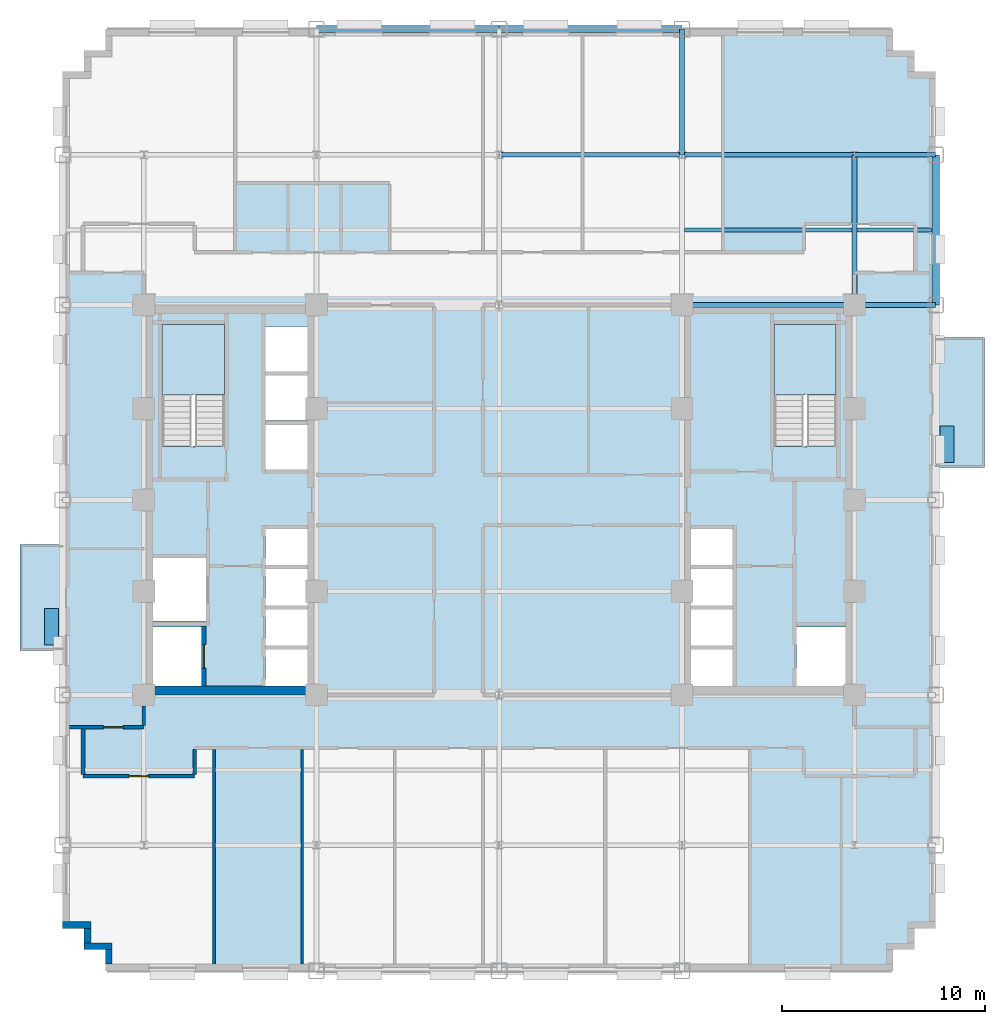
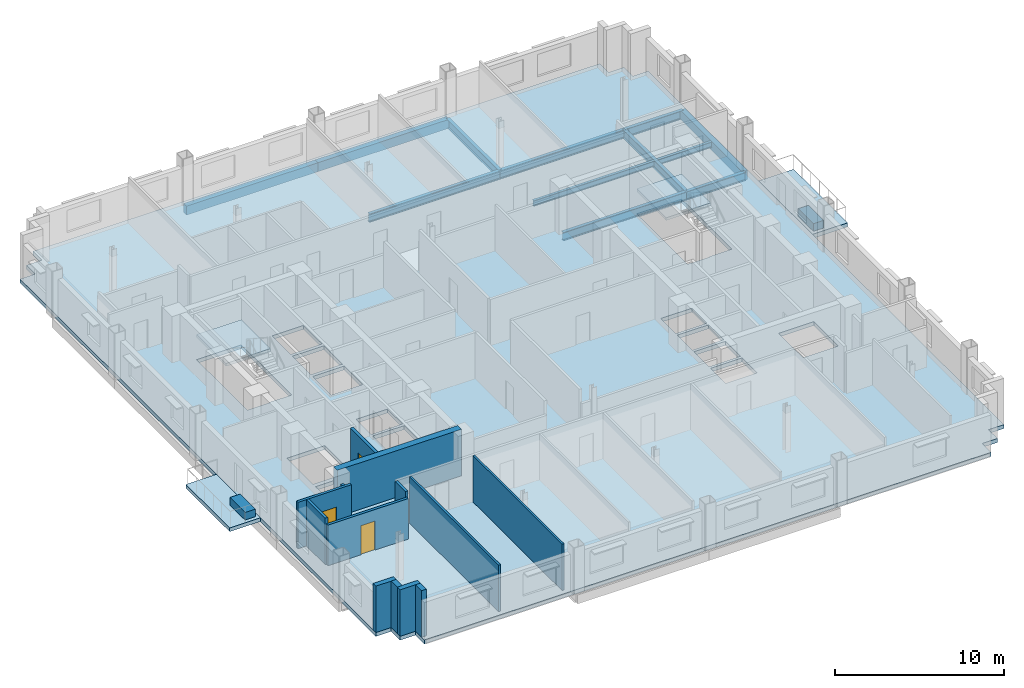
# One storey, part 5 of 14: 13 walls, 12 beams, 5 slabs, 3 doors, 2 plates, 3 openings, 2 elements without a shape of their own.
"""IFC4 building model written with IfcOpenShell, lengths in metres."""

from ifc_helpers import new_model, si_unit, direction, frame, frame_2d, origin, origin_2d, place, context, subcontext, project, spatial, polyline, rectangle, i_section, outline, extrude, source, transform, mapped, material, layer, layer_set, material_profile, profile_set, type_object, type_shapes, element, fill, aggregate, save


model = new_model("IFC4")

# Units and contexts
model_context = context("Model", 3, precision=1e-05, world=origin(), true_north=direction((0.0, 1.0)))
body_context = subcontext(model_context, "Body", "Model", "MODEL_VIEW")
ifc_project = project(units=[si_unit("LENGTHUNIT", "METRE"), si_unit("AREAUNIT", "SQUARE_METRE"), si_unit("VOLUMEUNIT", "CUBIC_METRE"), si_unit("PLANEANGLEUNIT", "RADIAN"), si_unit("MASSUNIT", "GRAM", prefix="KILO")], contexts=[model_context])

# Site, building, storey
site_placement = place(None, origin())
site = spatial("IfcSite", under=ifc_project, at=site_placement, CompositionType="ELEMENT")
building_placement = place(site_placement, origin())
building = spatial("IfcBuilding", under=site, at=building_placement, Name="Nuvemarco Arch Tower", CompositionType="ELEMENT")
storey_placement = place(building_placement, frame((0.0, 0.0, 71.39990234375)))
storey = spatial("IfcBuildingStorey", under=building, at=storey_placement, Name="L18", CompositionType="ELEMENT", Elevation=71.39990234375)

# Beams
ifc_material_1 = material(Name="Steel S355", Category="steel")
ifc_material_profile_1 = material_profile(ifc_material_1, i_section(OverallWidth=0.22998046875, OverallDepth=0.616943359375, WebThickness=0.01318359375, FlangeThickness=0.022216796875, FilletRadius=0.01611328125, at=origin_2d()), Name="W610x140")
ifc_profile_set_1 = profile_set([ifc_material_profile_1], Name="Steel S355")
beam_type_1 = type_object("IfcBeamType", Name="BM-GIRD-610", PredefinedType="BEAM", material=ifc_profile_set_1)
beam_1_placement = place(storey_placement, frame((9.0, 17.0, -0.58837890625), z_axis=(0.0, 1.0, 0.0), x_axis=(-1.0, 0.0, 0.0)))
element("IfcBeam", 1, at=beam_1_placement, inside=storey, type_object=beam_type_1, Name="L18 structural beam BGNS_L18_0_+9.0_+17.0", PredefinedType="BEAM", context=body_context, shape_type="SweptSolid", body=[
    extrude(i_section(OverallWidth=0.22998046875, OverallDepth=0.616943359375, WebThickness=0.01318359375, FlangeThickness=0.022216796875, FilletRadius=0.01611328125, at=origin_2d()), origin(), (0.0, 0.0, 1.0), 6.199951171875),
])
beam_2_placement = place(storey_placement, frame((17.5, 9.60009765625, -0.58837890625), z_axis=(0.0, 1.0, 0.0), x_axis=(-1.0, 0.0, 0.0)))
element("IfcBeam", 2, at=beam_2_placement, inside=storey, type_object=beam_type_1, Name="L18 structural beam BGNS_L18_0_+17.5_+9.6", PredefinedType="BEAM", context=body_context, shape_type="SweptSolid", body=[
    extrude(i_section(OverallWidth=0.22998046875, OverallDepth=0.616943359375, WebThickness=0.01318359375, FlangeThickness=0.022216796875, FilletRadius=0.01611328125, at=origin_2d()), origin(), (0.0, 0.0, 1.0), 7.39990234375),
])
beam_3_placement = place(storey_placement, frame((9.0, 9.60009765625, -0.58837890625), z_axis=(1.0, 0.0, 0.0), x_axis=(0.0, 1.0, 0.0)))
element("IfcBeam", 3, at=beam_3_placement, inside=storey, type_object=beam_type_1, Name="L18 structural beam BGEW_L18_0_+9.6_+9.0", PredefinedType="BEAM", context=body_context, shape_type="SweptSolid", body=[
    extrude(i_section(OverallWidth=0.22998046875, OverallDepth=0.616943359375, WebThickness=0.01318359375, FlangeThickness=0.022216796875, FilletRadius=0.01611328125, at=origin_2d()), origin(), (0.0, 0.0, 1.0), 8.5),
])
beam_4_placement = place(storey_placement, frame((17.5, 9.60009765625, -0.58837890625), z_axis=(1.0, 0.0, 0.0), x_axis=(0.0, 1.0, 0.0)))
element("IfcBeam", 4, at=beam_4_placement, inside=storey, type_object=beam_type_1, Name="L18 structural beam BGEW_L18_0_+9.6_+17.5", PredefinedType="BEAM", context=body_context, shape_type="SweptSolid", body=[
    extrude(i_section(OverallWidth=0.22998046875, OverallDepth=0.616943359375, WebThickness=0.01318359375, FlangeThickness=0.022216796875, FilletRadius=0.01611328125, at=origin_2d()), origin(), (0.0, 0.0, 1.0), 4.0),
])
beam_5_placement = place(storey_placement, frame((0.0, 17.0, -0.58837890625), z_axis=(1.0, 0.0, 0.0), x_axis=(0.0, 1.0, 0.0)))
element("IfcBeam", 5, at=beam_5_placement, inside=storey, type_object=beam_type_1, Name="L18 structural beam BGEW_L18_0_+17.0_+0.0", PredefinedType="BEAM", context=body_context, shape_type="SweptSolid", body=[
    extrude(i_section(OverallWidth=0.22998046875, OverallDepth=0.616943359375, WebThickness=0.01318359375, FlangeThickness=0.022216796875, FilletRadius=0.01611328125, at=origin_2d()), origin(), (0.0, 0.0, 1.0), 9.0),
])
beam_6_placement = place(storey_placement, frame((9.0, 17.0, -0.58837890625), z_axis=(1.0, 0.0, 0.0), x_axis=(0.0, 1.0, 0.0)))
element("IfcBeam", 6, at=beam_6_placement, inside=storey, type_object=beam_type_1, Name="L18 structural beam BGEW_L18_0_+17.0_+9.0", PredefinedType="BEAM", context=body_context, shape_type="SweptSolid", body=[
    extrude(i_section(OverallWidth=0.22998046875, OverallDepth=0.616943359375, WebThickness=0.01318359375, FlangeThickness=0.022216796875, FilletRadius=0.01611328125, at=origin_2d()), origin(), (0.0, 0.0, 1.0), 8.5),
])
beam_7_placement = place(storey_placement, frame((17.5, 17.0, -0.58837890625), z_axis=(1.0, 0.0, 0.0), x_axis=(0.0, 1.0, 0.0)))
element("IfcBeam", 7, at=beam_7_placement, inside=storey, type_object=beam_type_1, Name="L18 structural beam BGEW_L18_0_+17.0_+17.5", PredefinedType="BEAM", context=body_context, shape_type="SweptSolid", body=[
    extrude(i_section(OverallWidth=0.22998046875, OverallDepth=0.616943359375, WebThickness=0.01318359375, FlangeThickness=0.022216796875, FilletRadius=0.01611328125, at=origin_2d()), origin(), (0.0, 0.0, 1.0), 4.0),
])
ifc_material_profile_2 = material_profile(ifc_material_1, i_section(OverallWidth=0.179931640625, OverallDepth=0.4130859375, WebThickness=0.009765625, FlangeThickness=0.01611328125, FilletRadius=0.014892578125, at=origin_2d()), Name="W410x75")
ifc_profile_set_2 = profile_set([ifc_material_profile_2], Name="Steel S355")
beam_type_2 = type_object("IfcBeamType", Name="BM-JOIST-410", PredefinedType="JOIST", material=ifc_profile_set_2)
beam_8_placement = place(storey_placement, frame((9.114990234375, 13.300048828125, -0.486328125), z_axis=(1.0, 0.0, 0.0), x_axis=(0.0, 1.0, 0.0)))
element("IfcBeam", 8, at=beam_8_placement, inside=storey, type_object=beam_type_2, Name="L18 structural beam BJ_L18_0_+13.3_+9.0", PredefinedType="JOIST", context=body_context, shape_type="SweptSolid", body=[
    extrude(i_section(OverallWidth=0.179931640625, OverallDepth=0.4130859375, WebThickness=0.009765625, FlangeThickness=0.01611328125, FilletRadius=0.014892578125, at=origin_2d()), origin(), (0.0, 0.0, 1.0), 8.27001953125),
])
beam_9_placement = place(storey_placement, frame((17.614990234375, 13.300048828125, -0.486328125), z_axis=(1.0, 0.0, 0.0), x_axis=(0.0, 1.0, 0.0)))
element("IfcBeam", 9, at=beam_9_placement, inside=storey, type_object=beam_type_2, Name="L18 structural beam BJ_L18_0_+13.3_+17.5", PredefinedType="JOIST", context=body_context, shape_type="SweptSolid", body=[
    extrude(i_section(OverallWidth=0.179931640625, OverallDepth=0.4130859375, WebThickness=0.009765625, FlangeThickness=0.01611328125, FilletRadius=0.014892578125, at=origin_2d()), origin(), (0.0, 0.0, 1.0), 3.7099609375),
])
ifc_material_2 = material(Name="Precast concrete C45/55", Category="concrete")
ifc_material_profile_3 = material_profile(ifc_material_2, rectangle(XDim=0.35009765625, YDim=0.64990234375, at=origin_2d()), Name="PC-SP-350x650")
ifc_profile_set_3 = profile_set([ifc_material_profile_3], Name="Precast concrete C45/55")
beam_type_3 = type_object("IfcBeamType", Name="BM-SPAN-RC", PredefinedType="SPANDREL", material=ifc_profile_set_3)
beam_10_placement = place(storey_placement, frame((21.5, 9.60009765625, -0.60498046875), z_axis=(0.0, 1.0, 0.0), x_axis=(-1.0, 0.0, 0.0)))
element("IfcBeam", 10, at=beam_10_placement, inside=storey, type_object=beam_type_3, Name="L18 structural beam BGNS_L18_0_+21.5_+9.6", PredefinedType="SPANDREL", context=body_context, shape_type="SweptSolid", body=[
    extrude(rectangle(XDim=0.35009765625, YDim=0.64990234375, at=origin_2d()), origin(), (0.0, 0.0, 1.0), 7.39990234375),
])
for number, where, z_axis, x_axis, name in (
    (11, (-9.0, 23.199951171875, -0.60498046875), (1.0, 0.0, 0.0), (0.0, 1.0, 0.0), "L18 structural beam BGEW_L18_0_+23.2_-9.0"),
    (12, (0.0, 23.199951171875, -0.60498046875), (1.0, 0.0, 0.0), (0.0, 1.0, 0.0), "L18 structural beam BGEW_L18_0_+23.2_+0.0"),
):
    element("IfcBeam", number, at=place(storey_placement, frame(where, z_axis=z_axis, x_axis=x_axis)), inside=storey, type_object=beam_type_3, Name=name, PredefinedType="SPANDREL", context=body_context, shape_type="SweptSolid", body=[
        extrude(rectangle(XDim=0.35009765625, YDim=0.64990234375, at=origin_2d()), origin(), (0.0, 0.0, 1.0), 9.0),
    ])

# Slab
ifc_material_3 = material(Name="Concrete C50/60", Category="concrete")
ifc_layer_1 = layer(ifc_material_3, 0.280029296875, Name="SL-FLR-280")
ifc_layer_set_1 = layer_set([ifc_layer_1], Name="Concrete C50/60")
slab_type_1 = type_object("IfcSlabType", Name="SL-FLR-280", PredefinedType="FLOOR", material=ifc_layer_set_1)
slab_1_placement = place(storey_placement, frame((0.0, 0.0, -0.27978515625)))
element("IfcSlab", 13, at=slab_1_placement, inside=storey, type_object=slab_type_1, Name="L18 structural floor slab", PredefinedType="FLOOR", context=body_context, shape_type="SweptSolid", body=[
    extrude(outline(polyline([(-19.39990234375, -23.199951171875), (19.39990234375, -23.199951171875), (19.39990234375, -22.14990234375), (20.449951171875, -22.14990234375), (20.449951171875, -21.10009765625), (21.5, -21.10009765625), (21.5, 21.10009765625), (20.449951171875, 21.10009765625), (20.449951171875, 22.14990234375), (19.39990234375, 22.14990234375), (19.39990234375, 23.199951171875), (-19.39990234375, 23.199951171875), (-19.39990234375, 22.14990234375), (-20.449951171875, 22.14990234375), (-20.449951171875, 21.10009765625), (-21.5, 21.10009765625), (-21.5, -21.10009765625), (-20.449951171875, -21.10009765625), (-20.449951171875, -22.14990234375), (-19.39990234375, -22.14990234375), (-19.39990234375, -23.199951171875)]), holes=[polyline([(-13.5400390625, 2.669921875), (-13.5400390625, 8.64990234375), (-16.60009765625, 8.64990234375), (-16.60009765625, 2.630615234375), (-15.070068359375, 2.630615234375), (-15.070068359375, 2.669921875), (-13.5400390625, 2.669921875)]), polyline([(16.60009765625, 2.669921875), (16.60009765625, 8.64990234375), (13.5400390625, 8.64990234375), (13.5400390625, 2.630615234375), (15.070068359375, 2.630615234375), (15.070068359375, 2.669921875), (16.60009765625, 2.669921875)]), polyline([(-17.050048828125, -9.14990234375), (-14.64990234375, -9.14990234375), (-14.64990234375, -6.25), (-17.050048828125, -6.25), (-17.050048828125, -9.14990234375)]), polyline([(-17.050048828125, -5.949951171875), (-14.449951171875, -5.949951171875), (-14.449951171875, -2.85009765625), (-17.050048828125, -2.85009765625), (-17.050048828125, -5.949951171875)]), polyline([(-11.5, -9.14990234375), (-9.35009765625, -9.14990234375), (-9.35009765625, -7.3701171875), (-11.5, -7.3701171875), (-11.5, -9.14990234375)]), polyline([(-11.5, -7.169921875), (-9.35009765625, -7.169921875), (-9.35009765625, -5.389892578125), (-11.5, -5.389892578125), (-11.5, -7.169921875)]), polyline([(-11.5, -5.18994140625), (-9.35009765625, -5.18994140625), (-9.35009765625, -3.409912109375), (-11.5, -3.409912109375), (-11.5, -5.18994140625)]), polyline([(-11.5, -3.2099609375), (-9.35009765625, -3.2099609375), (-9.35009765625, -1.429931640625), (-11.5, -1.429931640625), (-11.5, -3.2099609375)]), polyline([(-11.5, 1.5), (-9.35009765625, 1.5), (-9.35009765625, 3.699951171875), (-11.5, 3.699951171875), (-11.5, 1.5)]), polyline([(-11.5, 3.919921875), (-9.35009765625, 3.919921875), (-9.35009765625, 6.1201171875), (-11.5, 6.1201171875), (-11.5, 3.919921875)]), polyline([(-11.5, 6.340087890625), (-9.35009765625, 6.340087890625), (-9.35009765625, 8.5400390625), (-11.5, 8.5400390625), (-11.5, 6.340087890625)]), polyline([(14.64990234375, -9.14990234375), (17.050048828125, -9.14990234375), (17.050048828125, -6.25), (14.64990234375, -6.25), (14.64990234375, -9.14990234375)]), polyline([(9.35009765625, -9.14990234375), (11.5, -9.14990234375), (11.5, -7.3701171875), (9.35009765625, -7.3701171875), (9.35009765625, -9.14990234375)]), polyline([(9.35009765625, -7.169921875), (11.5, -7.169921875), (11.5, -5.389892578125), (9.35009765625, -5.389892578125), (9.35009765625, -7.169921875)]), polyline([(9.35009765625, -5.18994140625), (11.5, -5.18994140625), (11.5, -3.409912109375), (9.35009765625, -3.409912109375), (9.35009765625, -5.18994140625)]), polyline([(9.35009765625, -3.2099609375), (11.5, -3.2099609375), (11.5, -1.429931640625), (9.35009765625, -1.429931640625), (9.35009765625, -3.2099609375)])]), origin(), (0.0, 0.0, 1.0), 0.27978515625),
])

# Stair, slab
stair_type = type_object("IfcStairType", Name="ST-CORE-20R", PredefinedType="HALF_TURN_STAIR", material=ifc_material_2)
stair_1_placement = place(storey_placement, origin())
stair_1 = element("IfcStair", 14, at=stair_1_placement, inside=storey, type_object=stair_type, Name="L18 Protected Exit Stair ST-1", PredefinedType="HALF_TURN_STAIR")
ifc_layer_2 = layer(ifc_material_2, 0.199951171875, Name="SL-LANDING-200")
ifc_layer_set_2 = layer_set([ifc_layer_2], Name="Precast concrete C45/55")
slab_type_2 = type_object("IfcSlabType", Name="SL-LANDING-200", PredefinedType="LANDING", material=ifc_layer_set_2)
slab_2_placement = place(storey_placement, frame((0.0, 0.0, 1.625)))
slab_2 = element("IfcSlab", 15, at=slab_2_placement, type_object=slab_type_2, Name="ST-20R landing 1", PredefinedType="LANDING", context=body_context, shape_type="SweptSolid", body=[
    extrude(outline(polyline([(-13.5400390625, 5.189453125), (-13.5400390625, 8.64990234375), (-16.60009765625, 8.64990234375), (-16.60009765625, 5.169921875), (-15.070068359375, 5.169921875), (-15.070068359375, 5.189453125), (-13.5400390625, 5.189453125)])), origin(), (0.0, 0.0, 1.0), 0.2001953125),
])
aggregate(stair_1, [slab_2])

stair_2_placement = place(storey_placement, origin())
stair_2 = element("IfcStair", 16, at=stair_2_placement, inside=storey, type_object=stair_type, Name="L18 Protected Exit Stair ST-2", PredefinedType="HALF_TURN_STAIR")
slab_3_placement = place(storey_placement, frame((0.0, 0.0, 1.625)))
slab_3 = element("IfcSlab", 17, at=slab_3_placement, type_object=slab_type_2, Name="ST-20R landing 1", PredefinedType="LANDING", context=body_context, shape_type="SweptSolid", body=[
    extrude(outline(polyline([(16.60009765625, 5.189453125), (16.60009765625, 8.64990234375), (13.5400390625, 8.64990234375), (13.5400390625, 5.169921875), (15.070068359375, 5.169921875), (15.070068359375, 5.189453125), (16.60009765625, 5.189453125)])), origin(), (0.0, 0.0, 1.0), 0.2001953125),
])
aggregate(stair_2, [slab_3])

# Slabs
ifc_layer_3 = layer(ifc_material_3, 0.264892578125, Name="SL-TB1")
ifc_layer_set_3 = layer_set([ifc_layer_3], Name="Concrete C50/60")
slab_type_3 = type_object("IfcSlabType", Name="SL-TB1", PredefinedType="FLOOR", material=ifc_layer_set_3)
slab_4_placement = place(storey_placement, frame((0.0, 0.0, -0.264892578125)))
element("IfcSlab", 18, at=slab_4_placement, inside=storey, type_object=slab_type_3, Name="L18 outdoor tree balcony slab 2", PredefinedType="FLOOR", context=body_context, shape_type="SweptSolid", body=[
    extrude(outline(polyline([(-23.60009765625, -7.39990234375), (-21.5, -7.39990234375), (-21.5, -2.199951171875), (-23.60009765625, -2.199951171875), (-23.60009765625, -7.39990234375)])), origin(), (0.0, 0.0, 1.0), 0.264892578125),
])
ifc_layer_4 = layer(ifc_material_3, 0.294921875, Name="SL-TR4")
ifc_layer_set_4 = layer_set([ifc_layer_4], Name="Concrete C50/60")
slab_type_4 = type_object("IfcSlabType", Name="SL-TR4", PredefinedType="FLOOR", material=ifc_layer_set_4)
slab_5_placement = place(storey_placement, frame((0.0, 0.0, -0.294921875)))
element("IfcSlab", 19, at=slab_5_placement, inside=storey, type_object=slab_type_4, Name="L18 outdoor spiral terrace slab 1", PredefinedType="FLOOR", context=body_context, shape_type="SweptSolid", body=[
    extrude(outline(polyline([(21.5, 1.60009765625), (23.89990234375, 1.60009765625), (23.89990234375, 8.0), (21.5, 8.0), (21.5, 1.60009765625)])), origin(), (0.0, 0.0, 1.0), 0.294921875),
])

# Plates
ifc_layer_5 = layer(ifc_material_2, 0.550048828125, Name="Tree Balcony Structural Planter")
ifc_layer_set_5 = layer_set([ifc_layer_5], Name="Precast concrete C45/55")
plate_type = type_object("IfcPlateType", Name="Tree Balcony Structural Planter", PredefinedType="USERDEFINED", material=ifc_layer_set_5)
shared_shape_1 = source(origin(), body_context, "Body", "SweptSolid", [
    extrude(rectangle(XDim=1.800048828125, YDim=0.699951171875, at=origin_2d()), origin(), (0.0, 0.0, 1.0), 0.550048828125),
])
type_shapes(plate_type, [shared_shape_1])
for number, where, z_axis, x_axis, name in (
    (20, (22.050048828125, 2.75, 0.0), (0.0, 0.0, 1.0), (0.0, 1.0, 0.0), "L18 Tree Balcony Structural Planter"),
    (21, (-22.050048828125, -6.25, 0.0), (0.0, 0.0, 1.0), (0.0, 1.0, 0.0), "L18 Tree Balcony Structural Planter"),
):
    element("IfcPlate", number, at=place(storey_placement, frame(where, z_axis=z_axis, x_axis=x_axis)), inside=storey, type_object=plate_type, Name=name, ObjectType="PLANTER", PredefinedType="USERDEFINED", context=body_context, shape_type="MappedRepresentation", body=[
        mapped(shared_shape_1, transform((0.0, 0.0, 0.0), scale=1.0)),
    ])

# Walls
ifc_layer_6 = layer(ifc_material_2, 0.340087890625, Name="EW-LOW-340")
ifc_layer_set_6 = layer_set([ifc_layer_6], Name="Precast concrete C45/55")
wall_type_1 = type_object("IfcWallType", Name="EW-LOW-340", PredefinedType="STANDARD", material=ifc_layer_set_6)
wall_1_placement = place(storey_placement, frame((-21.5, -20.929931640625, 0.0), z_axis=(0.0, 0.0, 1.0), x_axis=(1.0, 0.0, 0.0)))
element("IfcWall", 22, at=wall_1_placement, inside=storey, type_object=wall_type_1, Name="L18 exterior precast facade wall 17", PredefinedType="STANDARD", context=body_context, shape_type="SweptSolid", body=[
    extrude(rectangle(XDim=1.389892578125, YDim=0.340087890625, at=frame_2d((0.69482421875, 0.0))), origin(), (0.0, 0.0, 1.0), 3.360107421875),
])
wall_2_placement = place(storey_placement, frame((-20.280029296875, -21.81396484375, 0.0), z_axis=(0.0, 0.0, 1.0), x_axis=(0.0, 1.0, 0.0)))
element("IfcWall", 23, at=wall_2_placement, inside=storey, type_object=wall_type_1, Name="L18 exterior precast facade wall 18", PredefinedType="STANDARD", context=body_context, shape_type="SweptSolid", body=[
    extrude(rectangle(XDim=0.718017578125, YDim=0.340087890625, at=frame_2d((0.35888671875, 0.0))), origin(), (0.0, 0.0, 1.0), 3.360107421875),
])
wall_3_placement = place(storey_placement, frame((-20.449951171875, -21.97998046875, 0.0), z_axis=(0.0, 0.0, 1.0), x_axis=(1.0, 0.0, 0.0)))
element("IfcWall", 24, at=wall_3_placement, inside=storey, type_object=wall_type_1, Name="L18 exterior precast facade wall 19", PredefinedType="STANDARD", context=body_context, shape_type="SweptSolid", body=[
    extrude(rectangle(XDim=1.389892578125, YDim=0.340087890625, at=frame_2d((0.69482421875, 0.0))), origin(), (0.0, 0.0, 1.0), 3.360107421875),
])
wall_4_placement = place(storey_placement, frame((-19.22998046875, -22.864013671875, 0.0), z_axis=(0.0, 0.0, 1.0), x_axis=(0.0, 1.0, 0.0)))
element("IfcWall", 25, at=wall_4_placement, inside=storey, type_object=wall_type_1, Name="L18 exterior precast facade wall 20", PredefinedType="STANDARD", context=body_context, shape_type="SweptSolid", body=[
    extrude(rectangle(XDim=0.718017578125, YDim=0.340087890625, at=frame_2d((0.35888671875, 0.0))), origin(), (0.0, 0.0, 1.0), 3.360107421875),
])
ifc_material_4 = material(Name="Concrete C60/75", Category="concrete")
ifc_layer_7 = layer(ifc_material_4, 0.449951171875, Name="WL-CORE-450")
ifc_layer_set_7 = layer_set([ifc_layer_7], Name="Concrete C60/75")
wall_type_2 = type_object("IfcWallType", Name="WL-CORE-450", PredefinedType="SHEAR", material=ifc_layer_set_7)
wall_5_placement = place(storey_placement, frame((-17.5, -9.375, 0.0), z_axis=(0.0, 0.0, 1.0), x_axis=(1.0, 0.0, 0.0)))
element("IfcWall", 26, at=wall_5_placement, inside=storey, type_object=wall_type_2, Name="L18 W-core shear wall S", PredefinedType="SHEAR", context=body_context, shape_type="SweptSolid", body=[
    extrude(rectangle(XDim=8.5, YDim=0.449951171875, at=frame_2d((4.25, 0.0))), origin(), (0.0, 0.0, 1.0), 3.3701171875),
])

# Wall, opening, door
ifc_material_5 = material(Name="Fire-rated gypsum drywall partition")
ifc_layer_8 = layer(ifc_material_5, 0.179931640625, Name="WL-CORR-180")
ifc_layer_set_8 = layer_set([ifc_layer_8], Name="Fire-rated gypsum drywall partition")
wall_type_3 = type_object("IfcWallType", Name="WL-CORR-180", PredefinedType="PARTITIONING", material=ifc_layer_set_8)
wall_6_placement = place(storey_placement, frame((-20.5, -13.60009765625, 0.0), z_axis=(0.0, 0.0, 1.0), x_axis=(1.0, 0.0, 0.0)))
wall_6 = element("IfcWall", 27, at=wall_6_placement, inside=storey, type_object=wall_type_3, Name="L18 interior wall IW-L18-001", PredefinedType="PARTITIONING", context=body_context, shape_type="SweptSolid", body=[
    extrude(rectangle(XDim=5.5, YDim=0.179931640625, at=frame_2d((2.75, 0.0))), origin(), (0.0, 0.0, 1.0), 2.942138671875),
])
opening_1_placement = place(wall_6_placement, frame((2.27001953125, 0.0, 0.0)))
opening_1 = element("IfcOpeningElement", 28, at=opening_1_placement, cuts=wall_6, Name="Opening FD-5", PredefinedType="OPENING", context=body_context, shape_type="SweptSolid", body=[
    extrude(rectangle(XDim=0.9599609375, YDim=2.10009765625, at=frame_2d((0.47998046875, 1.050048828125))), frame((0.0, 0.099853515625, 0.0), z_axis=(0.0, -1.0, 0.0), x_axis=(1.0, 0.0, 0.0)), (0.0, 0.0, 1.0), 0.199951171875),
])
ifc_material_6 = material(Name="Timber fire door", Category="wood")
door_type_1 = type_object("IfcDoorType", Name="DR-CORR-FD", OperationType="NOTDEFINED", PredefinedType="DOOR", material=ifc_material_6)
shared_shape_2 = source(origin(), body_context, "Body", "SweptSolid", [
    extrude(rectangle(XDim=0.9599609375, YDim=2.10009765625, at=frame_2d((0.47998046875, 1.050048828125))), frame((0.0, 0.02490234375, 0.0), z_axis=(0.0, -1.0, 0.0), x_axis=(1.0, 0.0, 0.0)), (0.0, 0.0, 1.0), 0.050048828125),
])
type_shapes(door_type_1, [shared_shape_2])
door_1_placement = place(opening_1_placement, origin())
door_1 = element("IfcDoor", 29, at=door_1_placement, inside=storey, type_object=door_type_1, Name="L18 door DR-L18-S_1", OperationType="SINGLE_SWING_RIGHT", OverallHeight=2.10009765625, OverallWidth=0.9599609375, PredefinedType="DOOR", context=body_context, shape_type="MappedRepresentation", body=[
    mapped(shared_shape_2, transform((0.0, 0.0, 0.0), scale=1.0)),
])
fill(opening_1, door_1)

wall_7_placement = place(storey_placement, frame((-21.159912109375, -11.199951171875, 0.0), z_axis=(0.0, 0.0, 1.0), x_axis=(1.0, 0.0, 0.0)))
wall_7 = element("IfcWall", 30, at=wall_7_placement, inside=storey, type_object=wall_type_3, Name="L18 interior wall IW-L18-004", PredefinedType="PARTITIONING", context=body_context, shape_type="SweptSolid", body=[
    extrude(rectangle(XDim=3.659912109375, YDim=0.179931640625, at=frame_2d((1.830078125, 0.0))), origin(), (0.0, 0.0, 1.0), 3.360107421875),
])
opening_2_placement = place(wall_7_placement, frame((1.679931640625, 0.0, 0.0)))
opening_2 = element("IfcOpeningElement", 31, at=opening_2_placement, cuts=wall_7, Name="Opening FD-5", PredefinedType="OPENING", context=body_context, shape_type="SweptSolid", body=[
    extrude(rectangle(XDim=0.9599609375, YDim=2.10009765625, at=frame_2d((0.47998046875, 1.050048828125))), frame((0.0, 0.099853515625, 0.0), z_axis=(0.0, -1.0, 0.0), x_axis=(1.0, 0.0, 0.0)), (0.0, 0.0, 1.0), 0.199951171875),
])
door_2_placement = place(opening_2_placement, origin())
door_2 = element("IfcDoor", 32, at=door_2_placement, inside=storey, type_object=door_type_1, Name="L18 door DR-L18-W_1", OperationType="SINGLE_SWING_LEFT", OverallHeight=2.10009765625, OverallWidth=0.9599609375, PredefinedType="DOOR", context=body_context, shape_type="MappedRepresentation", body=[
    mapped(shared_shape_2, transform((0.0, 0.0, 0.0), scale=1.0)),
])
fill(opening_2, door_2)

# Walls
wall_8_placement = place(storey_placement, frame((-20.5, -13.513916015625, 0.0), z_axis=(0.0, 0.0, 1.0), x_axis=(0.0, 1.0, 0.0)))
element("IfcWall", 33, at=wall_8_placement, inside=storey, type_object=wall_type_3, Name="L18 interior wall IW-L18-024", PredefinedType="PARTITIONING", context=body_context, shape_type="SweptSolid", body=[
    extrude(rectangle(XDim=2.22802734375, YDim=0.179931640625, at=frame_2d((1.114013671875, 0.0))), origin(), (0.0, 0.0, 1.0), 3.360107421875),
])
wall_9_placement = place(storey_placement, frame((-17.5, -11.114013671875, 0.0), z_axis=(0.0, 0.0, 1.0), x_axis=(0.0, 1.0, 0.0)))
element("IfcWall", 34, at=wall_9_placement, inside=storey, type_object=wall_type_3, Name="L18 interior wall IW-L18-026", PredefinedType="PARTITIONING", context=body_context, shape_type="SweptSolid", body=[
    extrude(rectangle(XDim=0.968017578125, YDim=0.179931640625, at=frame_2d((0.48388671875, 0.0))), origin(), (0.0, 0.0, 1.0), 2.738037109375),
])
wall_10_placement = place(storey_placement, frame((-15.0, -13.513916015625, 0.0), z_axis=(0.0, 0.0, 1.0), x_axis=(0.0, 1.0, 0.0)))
element("IfcWall", 35, at=wall_10_placement, inside=storey, type_object=wall_type_3, Name="L18 interior wall IW-L18-028", PredefinedType="PARTITIONING", context=body_context, shape_type="SweptSolid", body=[
    extrude(rectangle(XDim=1.22802734375, YDim=0.179931640625, at=frame_2d((0.614013671875, 0.0))), origin(), (0.0, 0.0, 1.0), 3.360107421875),
])
ifc_material_7 = material(Name="Glazed acoustic office partition")
ifc_layer_9 = layer(ifc_material_7, 0.1298828125, Name="WL-EXEC-130")
ifc_layer_set_9 = layer_set([ifc_layer_9], Name="Glazed acoustic office partition")
wall_type_4 = type_object("IfcWallType", Name="WL-EXEC-130", PredefinedType="PARTITIONING", material=ifc_layer_set_9)
wall_11_placement = place(storey_placement, frame((-9.699951171875, -22.860107421875, 0.0), z_axis=(0.0, 0.0, 1.0), x_axis=(0.0, 1.0, 0.0)))
element("IfcWall", 36, at=wall_11_placement, inside=storey, type_object=wall_type_4, Name="L18 interior wall IW-L18-033", PredefinedType="PARTITIONING", context=body_context, shape_type="SweptSolid", body=[
    extrude(rectangle(XDim=10.57421875, YDim=0.1298828125, at=frame_2d((5.287109375, 0.0))), origin(), (0.0, 0.0, 1.0), 3.360107421875),
])
ifc_material_8 = material(Name="Gypsum plasterboard partition")
ifc_layer_10 = layer(ifc_material_8, 0.139892578125, Name="WL-ROOM-140")
ifc_layer_set_10 = layer_set([ifc_layer_10], Name="Gypsum plasterboard partition")
wall_type_5 = type_object("IfcWallType", Name="WL-ROOM-140", PredefinedType="PARTITIONING", material=ifc_layer_set_10)
wall_12_placement = place(storey_placement, frame((-14.050048828125, -22.860107421875, 0.0), z_axis=(0.0, 0.0, 1.0), x_axis=(0.0, 1.0, 0.0)))
element("IfcWall", 37, at=wall_12_placement, inside=storey, type_object=wall_type_5, Name="L18 interior wall IW-L18-030", PredefinedType="PARTITIONING", context=body_context, shape_type="SweptSolid", body=[
    extrude(rectangle(XDim=10.57421875, YDim=0.139892578125, at=frame_2d((5.287109375, 0.0))), origin(), (0.0, 0.0, 1.0), 3.360107421875),
])

# Wall, opening, door
ifc_layer_11 = layer(ifc_material_3, 0.199951171875, Name="WL-SHAFT-220")
ifc_layer_set_11 = layer_set([ifc_layer_11], Name="Concrete C50/60")
wall_type_6 = type_object("IfcWallType", Name="WL-SHAFT-220", PredefinedType="SHEAR", material=ifc_layer_set_11)
wall_13_placement = place(storey_placement, frame((-14.550048828125, -9.155029296875, 0.0), z_axis=(0.0, 0.0, 1.0), x_axis=(0.0, 1.0, 0.0)))
wall_13 = element("IfcWall", 38, at=wall_13_placement, inside=storey, type_object=wall_type_6, Name="L18 structural shaft wall SW-L18-W-SHE", PredefinedType="SHEAR", context=body_context, shape_type="SweptSolid", body=[
    extrude(rectangle(XDim=2.9599609375, YDim=0.199951171875, at=frame_2d((1.47998046875, 0.0))), origin(), (0.0, 0.0, 1.0), 3.3701171875),
])
opening_3_placement = place(wall_13_placement, frame((0.8798828125, 0.0, 0.0)))
opening_3 = element("IfcOpeningElement", 39, at=opening_3_placement, cuts=wall_13, Name="Opening LD-2", PredefinedType="OPENING", context=body_context, shape_type="SweptSolid", body=[
    extrude(rectangle(XDim=1.14990234375, YDim=2.14990234375, at=frame_2d((0.574951171875, 1.074951171875))), frame((0.0, 0.10986328125, 0.0), z_axis=(0.0, -1.0, 0.0), x_axis=(1.0, 0.0, 0.0)), (0.0, 0.0, 1.0), 0.219970703125),
])
ifc_material_9 = material(Name="Stainless steel lift door", Category="steel")
door_type_2 = type_object("IfcDoorType", Name="DR-LIFT-FIRE", OperationType="DOUBLE_DOOR_SLIDING", PredefinedType="DOOR", material=ifc_material_9)
shared_shape_3 = source(origin(), body_context, "Body", "SweptSolid", [
    extrude(rectangle(XDim=1.14990234375, YDim=2.14990234375, at=frame_2d((0.574951171875, 1.074951171875))), frame((0.0, 0.02490234375, 0.0), z_axis=(0.0, -1.0, 0.0), x_axis=(1.0, 0.0, 0.0)), (0.0, 0.0, 1.0), 0.050048828125),
])
type_shapes(door_type_2, [shared_shape_3])
door_3_placement = place(opening_3_placement, origin())
door_3 = element("IfcDoor", 40, at=door_3_placement, inside=storey, type_object=door_type_2, Name="L18 Lift landing sliding door FFL-1", OperationType="DOUBLE_DOOR_SLIDING", OverallHeight=2.14990234375, OverallWidth=1.14990234375, PredefinedType="DOOR", context=body_context, shape_type="MappedRepresentation", body=[
    mapped(shared_shape_3, transform((0.0, 0.0, 0.0), scale=1.0)),
])
fill(opening_3, door_3)

save(model, "model.ifc")
